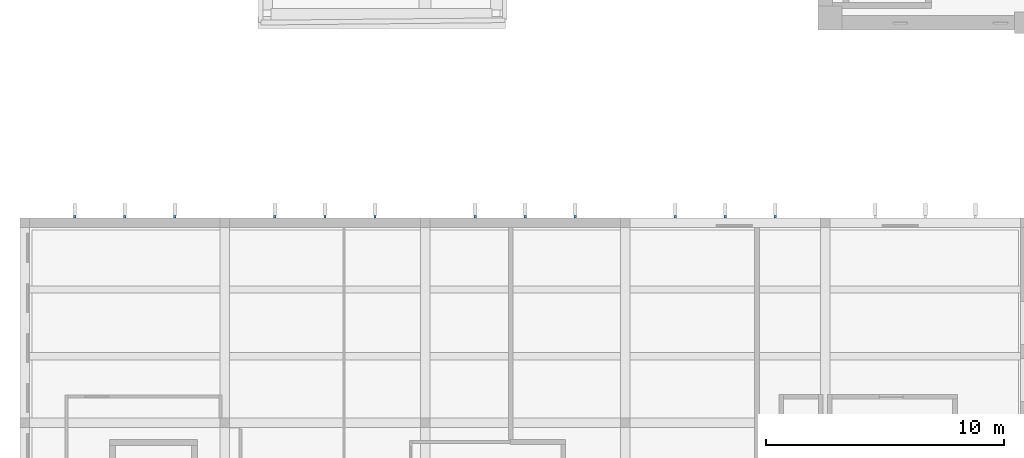
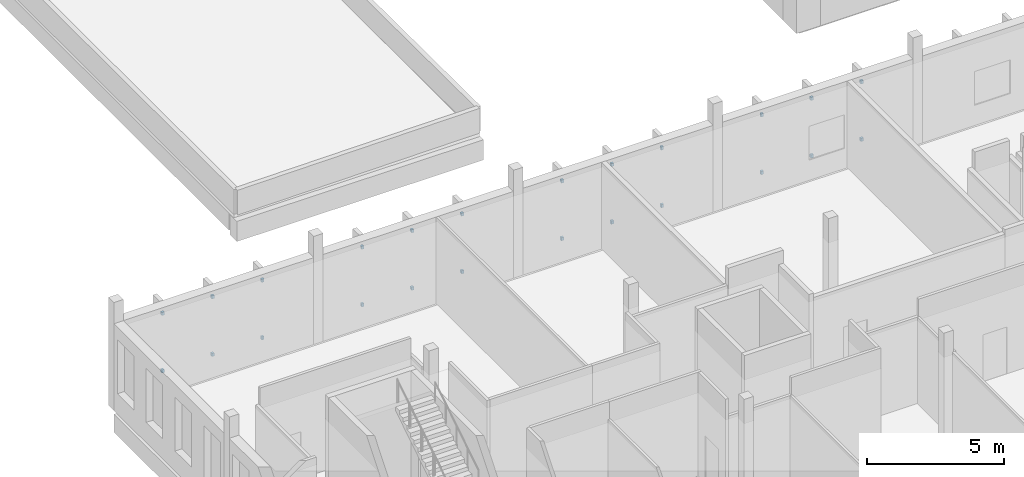
# One storey, part 51 of 79: 24 discrete accessories.
"""IFC4 building model written with IfcOpenShell, lengths in metres."""

from ifc_helpers import new_model, si_unit, direction, frame, origin, origin_2d, place, context, subcontext, project, spatial, rectangle, extrude, material, layer, layer_set, type_object, element, save


model = new_model("IFC4")

# Units and contexts
model_context = context("Model", 3, precision=1e-05, world=origin(), true_north=direction((0.0, 1.0)))
body_context = subcontext(model_context, "Body", "Model", "MODEL_VIEW")
ifc_project = project(units=[si_unit("LENGTHUNIT", "METRE"), si_unit("AREAUNIT", "SQUARE_METRE"), si_unit("VOLUMEUNIT", "CUBIC_METRE"), si_unit("PLANEANGLEUNIT", "RADIAN"), si_unit("MASSUNIT", "GRAM", prefix="KILO")], contexts=[model_context])

# Site, building, storey
site_placement = place(None, origin())
site = spatial("IfcSite", under=ifc_project, at=site_placement, CompositionType="ELEMENT")
building_placement = place(site_placement, origin())
building = spatial("IfcBuilding", under=site, at=building_placement, Name="Larchfold Concert Hall", CompositionType="ELEMENT")
storey_placement = place(building_placement, frame((0.0, 0.0, 14.39990234375)))
storey = spatial("IfcBuildingStorey", under=building, at=storey_placement, Name="L03", CompositionType="ELEMENT", Elevation=14.39990234375)

# Discrete accessories
ifc_material = material(Name="Steel S355 galvanised bracket", Category="steel")
ifc_layer = layer(ifc_material, 0.10009765625)
ifc_layer_set = layer_set([ifc_layer], Name="Steel S355 galvanised bracket")
discrete_accessory_type = type_object("IfcDiscreteAccessoryType", Name="Fin support bracket", PredefinedType="BRACKET", material=ifc_layer_set)
for number, where, z_axis, x_axis, name in (
    (1, (27.89990234375, 26.050048828125, 0.6298828125), (0.0, 0.0, 1.0), (0.0, 1.0, 0.0), "Fin bracket FN-L03-004-1"),
    (2, (27.89990234375, 26.050048828125, 3.18994140625), (0.0, 0.0, 1.0), (0.0, 1.0, 0.0), "Fin bracket FN-L03-004-2"),
    (3, (30.0, 26.050048828125, 0.6298828125), (0.0, 0.0, 1.0), (0.0, 1.0, 0.0), "Fin bracket FN-L03-005-1"),
    (4, (30.0, 26.050048828125, 3.18994140625), (0.0, 0.0, 1.0), (0.0, 1.0, 0.0), "Fin bracket FN-L03-005-2"),
    (5, (32.10009765625, 26.050048828125, 0.6298828125), (0.0, 0.0, 1.0), (0.0, 1.0, 0.0), "Fin bracket FN-L03-006-1"),
    (6, (32.10009765625, 26.050048828125, 3.18994140625), (0.0, 0.0, 1.0), (0.0, 1.0, 0.0), "Fin bracket FN-L03-006-2"),
    (7, (19.5, 26.050048828125, 0.6298828125), (0.0, 0.0, 1.0), (0.0, 1.0, 0.0), "Fin bracket FN-L03-007-1"),
    (8, (19.5, 26.050048828125, 3.18994140625), (0.0, 0.0, 1.0), (0.0, 1.0, 0.0), "Fin bracket FN-L03-007-2"),
    (9, (21.60009765625, 26.050048828125, 0.6298828125), (0.0, 0.0, 1.0), (0.0, 1.0, 0.0), "Fin bracket FN-L03-008-1"),
    (10, (21.60009765625, 26.050048828125, 3.18994140625), (0.0, 0.0, 1.0), (0.0, 1.0, 0.0), "Fin bracket FN-L03-008-2"),
    (11, (23.699951171875, 26.050048828125, 0.6298828125), (0.0, 0.0, 1.0), (0.0, 1.0, 0.0), "Fin bracket FN-L03-009-1"),
    (12, (23.699951171875, 26.050048828125, 3.18994140625), (0.0, 0.0, 1.0), (0.0, 1.0, 0.0), "Fin bracket FN-L03-009-2"),
    (13, (11.10009765625, 26.050048828125, 0.6298828125), (0.0, 0.0, 1.0), (0.0, 1.0, 0.0), "Fin bracket FN-L03-010-1"),
    (14, (11.10009765625, 26.050048828125, 3.18994140625), (0.0, 0.0, 1.0), (0.0, 1.0, 0.0), "Fin bracket FN-L03-010-2"),
    (15, (13.199951171875, 26.050048828125, 0.6298828125), (0.0, 0.0, 1.0), (0.0, 1.0, 0.0), "Fin bracket FN-L03-011-1"),
    (16, (13.199951171875, 26.050048828125, 3.18994140625), (0.0, 0.0, 1.0), (0.0, 1.0, 0.0), "Fin bracket FN-L03-011-2"),
    (17, (15.300048828125, 26.050048828125, 0.6298828125), (0.0, 0.0, 1.0), (0.0, 1.0, 0.0), "Fin bracket FN-L03-012-1"),
    (18, (15.300048828125, 26.050048828125, 3.18994140625), (0.0, 0.0, 1.0), (0.0, 1.0, 0.0), "Fin bracket FN-L03-012-2"),
    (19, (2.699951171875, 26.050048828125, 0.6298828125), (0.0, 0.0, 1.0), (0.0, 1.0, 0.0), "Fin bracket FN-L03-013-1"),
    (20, (2.699951171875, 26.050048828125, 3.18994140625), (0.0, 0.0, 1.0), (0.0, 1.0, 0.0), "Fin bracket FN-L03-013-2"),
    (21, (4.800048828125, 26.050048828125, 0.6298828125), (0.0, 0.0, 1.0), (0.0, 1.0, 0.0), "Fin bracket FN-L03-014-1"),
    (22, (4.800048828125, 26.050048828125, 3.18994140625), (0.0, 0.0, 1.0), (0.0, 1.0, 0.0), "Fin bracket FN-L03-014-2"),
    (23, (6.89990234375, 26.050048828125, 0.6298828125), (0.0, 0.0, 1.0), (0.0, 1.0, 0.0), "Fin bracket FN-L03-015-1"),
    (24, (6.89990234375, 26.050048828125, 3.18994140625), (0.0, 0.0, 1.0), (0.0, 1.0, 0.0), "Fin bracket FN-L03-015-2"),
):
    element("IfcDiscreteAccessory", number, at=place(storey_placement, frame(where, z_axis=z_axis, x_axis=x_axis)), inside=storey, type_object=discrete_accessory_type, Name=name, PredefinedType="BRACKET", context=body_context, shape_type="SweptSolid", body=[
        extrude(rectangle(XDim=0.10009765625, YDim=0.10009765625, at=origin_2d()), origin(), (0.0, 0.0, 1.0), 0.139892578125),
    ])

save(model, "model.ifc")
